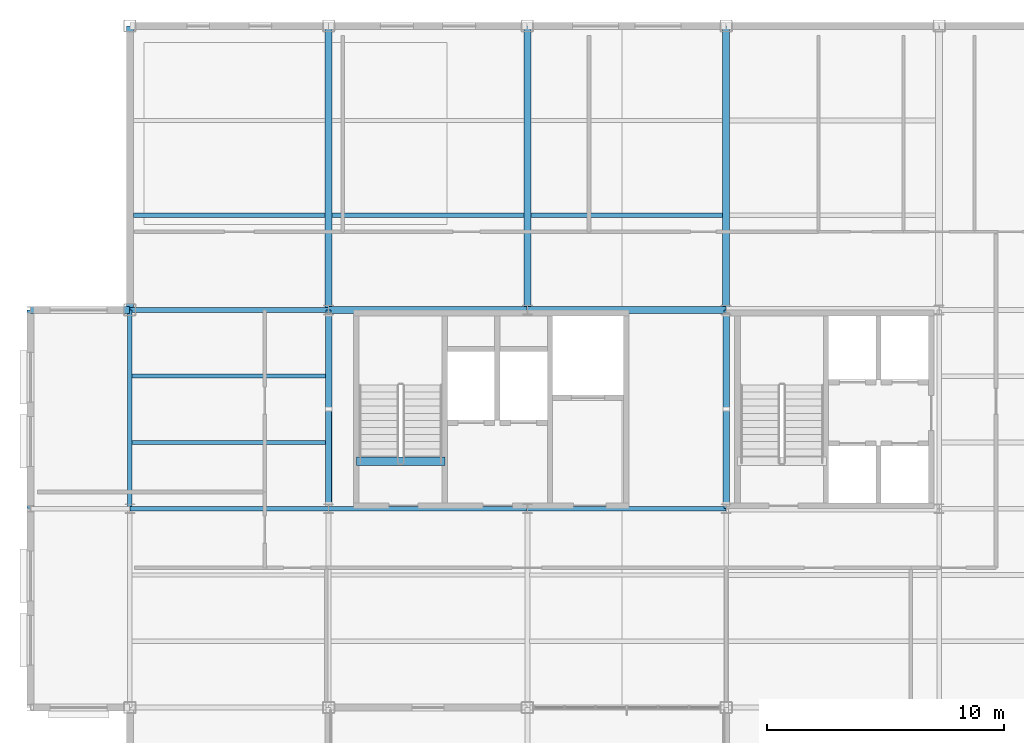
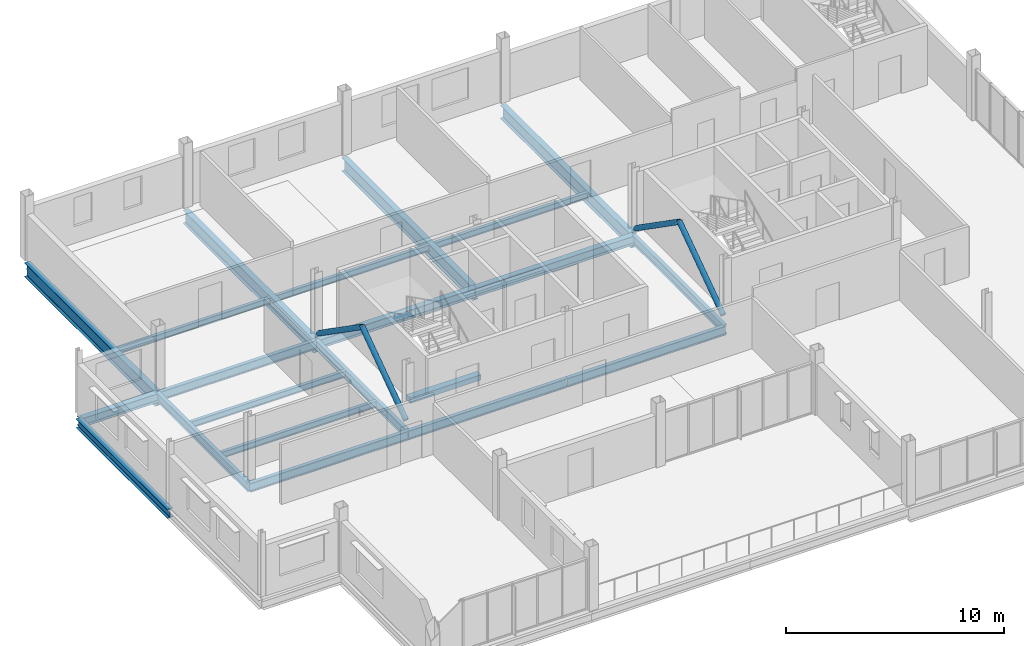
# One storey, part 6 of 20: 21 beams, 4 members.
"""IFC4 building model written with IfcOpenShell, lengths in metres."""

from ifc_helpers import new_model, si_unit, direction, frame, origin, origin_2d, place, context, subcontext, project, spatial, rectangle, hollow_circle, i_section, extrude, material, material_profile, profile_set, type_object, element, save


model = new_model("IFC4")

# Units and contexts
model_context = context("Model", 3, precision=1e-05, world=origin(), true_north=direction((0.0, 1.0)))
body_context = subcontext(model_context, "Body", "Model", "MODEL_VIEW")
ifc_project = project(units=[si_unit("LENGTHUNIT", "METRE"), si_unit("AREAUNIT", "SQUARE_METRE"), si_unit("VOLUMEUNIT", "CUBIC_METRE"), si_unit("PLANEANGLEUNIT", "RADIAN"), si_unit("MASSUNIT", "GRAM", prefix="KILO")], contexts=[model_context])

# Site, building, storey
site_placement = place(None, origin())
site = spatial("IfcSite", under=ifc_project, at=site_placement, CompositionType="ELEMENT")
building_placement = place(site_placement, origin())
building = spatial("IfcBuilding", under=site, at=building_placement, Name="Yukiwa Park Conservatory and Herbarium", CompositionType="ELEMENT")
storey_placement = place(building_placement, frame((0.0, 0.0, 28.199951171875)))
storey = spatial("IfcBuildingStorey", under=building, at=storey_placement, Name="L07", CompositionType="ELEMENT", Elevation=28.199951171875)

# Beams
ifc_material_1 = material(Name="Steel Q355D", Category="steel")
ifc_material_profile_1 = material_profile(ifc_material_1, i_section(OverallWidth=0.199951171875, OverallDepth=0.5, WebThickness=0.010009765625, FlangeThickness=0.01611328125, FilletRadius=0.02001953125, at=origin_2d()), Name="HN 500x200x10x16")
ifc_profile_set_1 = profile_set([ifc_material_profile_1], Name="Steel Q355D")
beam_type_1 = type_object("IfcBeamType", Name="BM-GRD-HN500", PredefinedType="BEAM", material=ifc_profile_set_1)
beam_1_placement = place(storey_placement, frame((124.805908203125, 94.800048828125, -0.5048828125), z_axis=(1.0, 0.0, 0.0), x_axis=(0.0, 1.0, 0.0)))
element("IfcBeam", 1, at=beam_1_placement, inside=storey, type_object=beam_type_1, Name="L07 grid beam X-13", PredefinedType="BEAM", context=body_context, shape_type="SweptSolid", body=[
    extrude(i_section(OverallWidth=0.199951171875, OverallDepth=0.5, WebThickness=0.010009765625, FlangeThickness=0.01611328125, FilletRadius=0.02001953125, at=origin_2d()), origin(), (0.0, 0.0, 1.0), 8.38818359375),
])
for number, where, z_axis, x_axis, name in (
    (2, (133.2060546875, 94.800048828125, -0.5048828125), (1.0, 0.0, 0.0), (0.0, 1.0, 0.0), "L07 grid beam X-14"),
    (3, (141.60595703125, 94.800048828125, -0.5048828125), (1.0, 0.0, 0.0), (0.0, 1.0, 0.0), "L07 grid beam X-15"),
):
    element("IfcBeam", number, at=place(storey_placement, frame(where, z_axis=z_axis, x_axis=x_axis)), inside=storey, type_object=beam_type_1, Name=name, PredefinedType="BEAM", context=body_context, shape_type="SweptSolid", body=[
        extrude(i_section(OverallWidth=0.199951171875, OverallDepth=0.5, WebThickness=0.010009765625, FlangeThickness=0.01611328125, FilletRadius=0.02001953125, at=origin_2d()), origin(), (0.0, 0.0, 1.0), 8.387939453125),
    ])
for number, where, z_axis, x_axis, name in (
    (4, (124.805908203125, 103.199951171875, -0.5048828125), (1.0, 0.0, 0.0), (0.0, 1.0, 0.0), "L07 grid beam X-19"),
    (5, (124.800048828125, 94.805908203125, -0.5048828125), (0.0, 1.0, 0.0), (-1.0, 0.0, 0.0), "L07 grid girder Y-33"),
    (6, (133.199951171875, 94.805908203125, -0.5048828125), (0.0, 1.0, 0.0), (-1.0, 0.0, 0.0), "L07 grid girder Y-37"),
    (7, (150.0, 94.805908203125, -0.5048828125), (0.0, 1.0, 0.0), (-1.0, 0.0, 0.0), "L07 grid girder Y-44"),
):
    element("IfcBeam", number, at=place(storey_placement, frame(where, z_axis=z_axis, x_axis=x_axis)), inside=storey, type_object=beam_type_1, Name=name, PredefinedType="BEAM", context=body_context, shape_type="SweptSolid", body=[
        extrude(i_section(OverallWidth=0.199951171875, OverallDepth=0.5, WebThickness=0.010009765625, FlangeThickness=0.01611328125, FilletRadius=0.02001953125, at=origin_2d()), origin(), (0.0, 0.0, 1.0), 8.38818359375),
    ])
ifc_material_2 = material(Name="Steel Q355D", Category="steel")
ifc_material_profile_2 = material_profile(ifc_material_2, i_section(OverallWidth=0.300048828125, OverallDepth=0.75, WebThickness=0.012939453125, FlangeThickness=0.02392578125, FilletRadius=0.028076171875, at=origin_2d()), Name="HN 750x300x13x24")
ifc_profile_set_2 = profile_set([ifc_material_profile_2], Name="Steel Q355D")
beam_type_2 = type_object("IfcBeamType", Name="BM-GRD-HN750", PredefinedType="BEAM", material=ifc_profile_set_2)
for number, where, z_axis, x_axis, name in (
    (8, (133.199951171875, 103.2060546875, -0.6298828125), (0.0, 1.0, 0.0), (-1.0, 0.0, 0.0), "L07 grid girder Y-38"),
    (9, (141.60009765625, 103.2060546875, -0.6298828125), (0.0, 1.0, 0.0), (-1.0, 0.0, 0.0), "L07 grid girder Y-41"),
    (10, (150.0, 103.2060546875, -0.6298828125), (0.0, 1.0, 0.0), (-1.0, 0.0, 0.0), "L07 grid girder Y-45"),
):
    element("IfcBeam", number, at=place(storey_placement, frame(where, z_axis=z_axis, x_axis=x_axis)), inside=storey, type_object=beam_type_2, Name=name, PredefinedType="BEAM", context=body_context, shape_type="SweptSolid", body=[
        extrude(i_section(OverallWidth=0.300048828125, OverallDepth=0.75, WebThickness=0.012939453125, FlangeThickness=0.02392578125, FilletRadius=0.028076171875, at=origin_2d()), origin(), (0.0, 0.0, 1.0), 11.988037109375),
    ])
ifc_material_3 = material(Name="Steel Q355D", Category="steel")
ifc_material_profile_3 = material_profile(ifc_material_3, i_section(OverallWidth=0.175048828125, OverallDepth=0.35009765625, WebThickness=0.007080078125, FlangeThickness=0.010986328125, FilletRadius=0.013916015625, at=origin_2d()), Name="HN 350x175x7x11")
ifc_profile_set_3 = profile_set([ifc_material_profile_3], Name="Steel Q355D")
beam_type_3 = type_object("IfcBeamType", Name="BM-JST-HN350", PredefinedType="JOIST", material=ifc_profile_set_3)
for number, where, z_axis, x_axis, name in (
    (11, (124.89599609375, 97.60009765625, -0.429931640625), (1.0, 0.0, 0.0), (0.0, 1.0, 0.0), "L07 composite floor joist 5"),
    (12, (124.89599609375, 100.39990234375, -0.429931640625), (1.0, 0.0, 0.0), (0.0, 1.0, 0.0), "L07 composite floor joist 6"),
):
    element("IfcBeam", number, at=place(storey_placement, frame(where, z_axis=z_axis, x_axis=x_axis)), inside=storey, type_object=beam_type_3, Name=name, PredefinedType="JOIST", context=body_context, shape_type="SweptSolid", body=[
        extrude(i_section(OverallWidth=0.175048828125, OverallDepth=0.35009765625, WebThickness=0.007080078125, FlangeThickness=0.010986328125, FilletRadius=0.013916015625, at=origin_2d()), origin(), (0.0, 0.0, 1.0), 8.2080078125),
    ])
beam_2_placement = place(storey_placement, frame((124.946044921875, 107.199951171875, -0.429931640625), z_axis=(1.0, 0.0, 0.0), x_axis=(0.0, 1.0, 0.0)))
element("IfcBeam", 13, at=beam_2_placement, inside=storey, type_object=beam_type_3, Name="L07 composite floor joist 7", PredefinedType="JOIST", context=body_context, shape_type="SweptSolid", body=[
    extrude(i_section(OverallWidth=0.175048828125, OverallDepth=0.35009765625, WebThickness=0.007080078125, FlangeThickness=0.010986328125, FilletRadius=0.013916015625, at=origin_2d()), origin(), (0.0, 0.0, 1.0), 8.10791015625),
])
beam_3_placement = place(storey_placement, frame((133.345947265625, 107.199951171875, -0.429931640625), z_axis=(1.0, 0.0, 0.0), x_axis=(0.0, 1.0, 0.0)))
element("IfcBeam", 14, at=beam_3_placement, inside=storey, type_object=beam_type_3, Name="L07 composite floor joist 13", PredefinedType="JOIST", context=body_context, shape_type="SweptSolid", body=[
    extrude(i_section(OverallWidth=0.175048828125, OverallDepth=0.35009765625, WebThickness=0.007080078125, FlangeThickness=0.010986328125, FilletRadius=0.013916015625, at=origin_2d()), origin(), (0.0, 0.0, 1.0), 8.108154296875),
])
beam_4_placement = place(storey_placement, frame((141.74609375, 107.199951171875, -0.429931640625), z_axis=(1.0, 0.0, 0.0), x_axis=(0.0, 1.0, 0.0)))
element("IfcBeam", 15, at=beam_4_placement, inside=storey, type_object=beam_type_3, Name="L07 composite floor joist 19", PredefinedType="JOIST", context=body_context, shape_type="SweptSolid", body=[
    extrude(i_section(OverallWidth=0.175048828125, OverallDepth=0.35009765625, WebThickness=0.007080078125, FlangeThickness=0.010986328125, FilletRadius=0.013916015625, at=origin_2d()), origin(), (0.0, 0.0, 1.0), 8.10791015625),
])
ifc_material_4 = material(Name="Steel Q355D", Category="steel")
ifc_material_profile_4 = material_profile(ifc_material_4, i_section(OverallWidth=0.300048828125, OverallDepth=0.493896484375, WebThickness=0.010986328125, FlangeThickness=0.014892578125, FilletRadius=0.02392578125, at=origin_2d()), Name="HM 494x300x11x15")
ifc_profile_set_4 = profile_set([ifc_material_profile_4], Name="Steel Q355D")
beam_type_4 = type_object("IfcBeamType", Name="BM-SPN-HN450", PredefinedType="SPANDREL", material=ifc_profile_set_4)
beam_5_placement = place(storey_placement, frame((120.60595703125, 103.199951171875, -0.501953125), z_axis=(1.0, 0.0, 0.0), x_axis=(0.0, 1.0, 0.0)))
element("IfcBeam", 16, at=beam_5_placement, inside=storey, type_object=beam_type_4, Name="L07 spandrel beam X-18", PredefinedType="SPANDREL", context=body_context, shape_type="SweptSolid", body=[
    extrude(i_section(OverallWidth=0.300048828125, OverallDepth=0.493896484375, WebThickness=0.010986328125, FlangeThickness=0.014892578125, FilletRadius=0.02392578125, at=origin_2d()), origin(), (0.0, 0.0, 1.0), 4.18798828125),
])
ifc_material_5 = material(Name="Steel Q355D", Category="steel")
ifc_material_profile_5 = material_profile(ifc_material_5, i_section(OverallWidth=0.300048828125, OverallDepth=0.5, WebThickness=0.010986328125, FlangeThickness=0.01806640625, FilletRadius=0.02392578125, at=origin_2d()), Name="HM 500x300x11x18")
ifc_profile_set_5 = profile_set([ifc_material_profile_5], Name="Steel Q355D")
beam_type_5 = type_object("IfcBeamType", Name="BM-SPN-HN500", PredefinedType="SPANDREL", material=ifc_profile_set_5)
for number, where, z_axis, x_axis, name in (
    (17, (133.2060546875, 103.199951171875, -0.5048828125), (1.0, 0.0, 0.0), (0.0, 1.0, 0.0), "L07 spandrel beam X-20"),
    (18, (141.60595703125, 103.199951171875, -0.5048828125), (1.0, 0.0, 0.0), (0.0, 1.0, 0.0), "L07 spandrel beam X-21"),
):
    element("IfcBeam", number, at=place(storey_placement, frame(where, z_axis=z_axis, x_axis=x_axis)), inside=storey, type_object=beam_type_5, Name=name, PredefinedType="SPANDREL", context=body_context, shape_type="SweptSolid", body=[
        extrude(i_section(OverallWidth=0.300048828125, OverallDepth=0.5, WebThickness=0.010986328125, FlangeThickness=0.01806640625, FilletRadius=0.02392578125, at=origin_2d()), origin(), (0.0, 0.0, 1.0), 8.387939453125),
    ])
beam_6_placement = place(storey_placement, frame((120.60009765625, 94.805908203125, -0.5048828125), z_axis=(0.0, 1.0, 0.0), x_axis=(-1.0, 0.0, 0.0)))
element("IfcBeam", 19, at=beam_6_placement, inside=storey, type_object=beam_type_5, Name="L07 spandrel girder Y-30", PredefinedType="SPANDREL", context=body_context, shape_type="SweptSolid", body=[
    extrude(i_section(OverallWidth=0.300048828125, OverallDepth=0.5, WebThickness=0.010986328125, FlangeThickness=0.01806640625, FilletRadius=0.02392578125, at=origin_2d()), origin(), (0.0, 0.0, 1.0), 8.38818359375),
])
ifc_material_6 = material(Name="Steel Q355D", Category="steel")
ifc_material_profile_6 = material_profile(ifc_material_6, i_section(OverallWidth=0.300048828125, OverallDepth=0.7919921875, WebThickness=0.013916015625, FlangeThickness=0.02197265625, FilletRadius=0.028076171875, at=origin_2d()), Name="HN 792x300x14x22")
ifc_profile_set_6 = profile_set([ifc_material_profile_6], Name="Steel Q355D")
beam_type_6 = type_object("IfcBeamType", Name="BM-SPN-HN600", PredefinedType="SPANDREL", material=ifc_profile_set_6)
beam_7_placement = place(storey_placement, frame((124.800048828125, 103.2060546875, -0.65087890625), z_axis=(0.0, 1.0, 0.0), x_axis=(-1.0, 0.0, 0.0)))
element("IfcBeam", 20, at=beam_7_placement, inside=storey, type_object=beam_type_6, Name="L07 spandrel girder Y-34", PredefinedType="SPANDREL", context=body_context, shape_type="SweptSolid", body=[
    extrude(i_section(OverallWidth=0.300048828125, OverallDepth=0.7919921875, WebThickness=0.013916015625, FlangeThickness=0.02197265625, FilletRadius=0.028076171875, at=origin_2d()), origin(), (0.0, 0.0, 1.0), 11.988037109375),
])
ifc_material_7 = material(Name="Concrete C40", Category="concrete")
ifc_material_profile_7 = material_profile(ifc_material_7, rectangle(XDim=0.35009765625, YDim=0.300048828125, at=origin_2d()), Name="RC 350x300")
ifc_profile_set_7 = profile_set([ifc_material_profile_7], Name="Concrete C40")
beam_type_7 = type_object("IfcBeamType", Name="BM-STAIR-TRIM", PredefinedType="BEAM", material=ifc_profile_set_7)
beam_8_placement = place(storey_placement, frame((134.3701171875, 96.81005859375, -0.14990234375), z_axis=(1.0, 0.0, 0.0), x_axis=(0.0, 1.0, 0.0)))
element("IfcBeam", 21, at=beam_8_placement, inside=storey, type_object=beam_type_7, Name="Stair ST-T1 L07 landing trimmer beam", PredefinedType="BEAM", context=body_context, shape_type="SweptSolid", body=[
    extrude(rectangle(XDim=0.35009765625, YDim=0.300048828125, at=origin_2d()), origin(), (0.0, 0.0, 1.0), 3.75),
])

# Members
ifc_material_8 = material(Name="Steel Q355D", Category="steel")
ifc_material_profile_8 = material_profile(ifc_material_8, hollow_circle(Radius=0.136474609375, WallThickness=0.010009765625, at=origin_2d()), Name="CHS 273x10")
ifc_profile_set_8 = profile_set([ifc_material_profile_8], Name="Steel Q355D")
member_type = type_object("IfcMemberType", Name="MB-BR-CHS273", PredefinedType="BRACE", material=ifc_profile_set_8)
for number, where, z_axis, x_axis, name in (
    (22, (133.199951171875, 94.995361328125, 0.18603515625), (0.0, 0.820407409365, 0.571779400345), (-1.0, 0.0, 0.0), "L07 concentric chevron brace 41"),
    (23, (133.199951171875, 103.004638671875, 0.18603515625), (0.0, -0.820407409365, 0.571779400345), (1.0, 0.0, 0.0), "L07 concentric chevron brace 42"),
    (24, (150.0, 94.995361328125, 0.18603515625), (0.0, 0.820407409365, 0.571779400345), (-1.0, 0.0, 0.0), "L07 concentric chevron brace 43"),
    (25, (150.0, 103.004638671875, 0.18603515625), (0.0, -0.820407409365, 0.571779400345), (1.0, 0.0, 0.0), "L07 concentric chevron brace 44"),
):
    element("IfcMember", number, at=place(storey_placement, frame(where, z_axis=z_axis, x_axis=x_axis)), inside=storey, type_object=member_type, Name=name, PredefinedType="BRACE", context=body_context, shape_type="SweptSolid", body=[
        extrude(hollow_circle(Radius=0.136474609375, WallThickness=0.010009765625, at=origin_2d()), origin(), (0.0, 0.0, 1.0), 4.88134765625),
    ])

save(model, "model.ifc")
